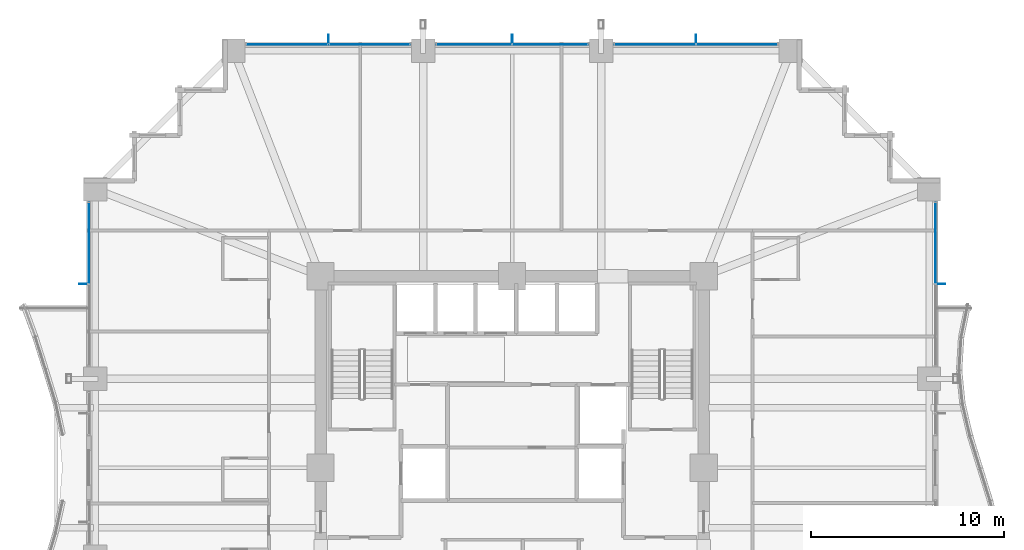
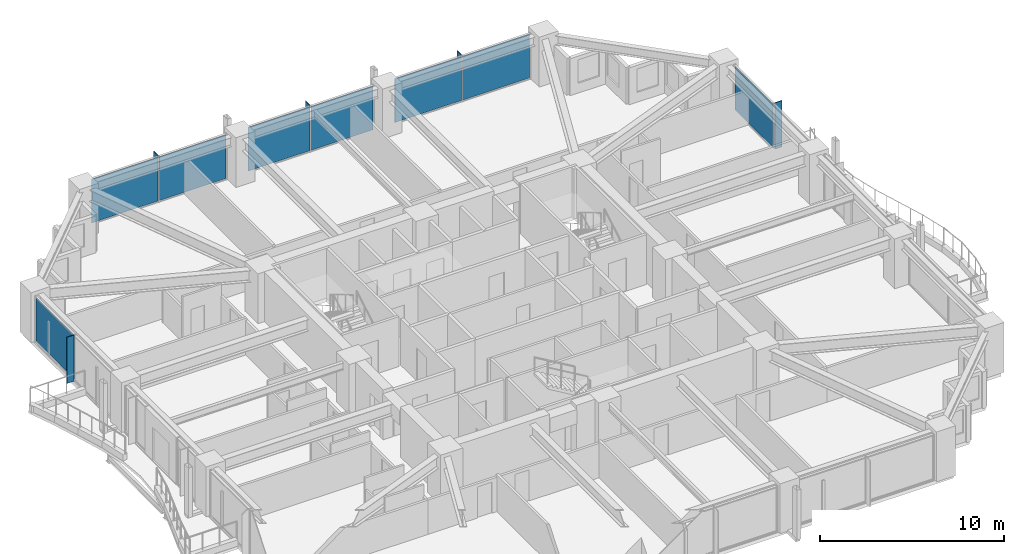
# One storey, part 29 of 36: 13 plates, 5 elements without a shape of their own.
"""IFC4 building model written with IfcOpenShell, lengths in metres."""

from ifc_helpers import new_model, si_unit, direction, frame, origin, origin_2d, place, context, subcontext, project, spatial, rectangle, extrude, material, layer, layer_set, type_object, element, aggregate, save


model = new_model("IFC4")

# Units and contexts
model_context = context("Model", 3, precision=1e-05, world=origin(), true_north=direction((0.0, 1.0)))
body_context = subcontext(model_context, "Body", "Model", "MODEL_VIEW")
ifc_project = project(units=[si_unit("LENGTHUNIT", "METRE"), si_unit("AREAUNIT", "SQUARE_METRE"), si_unit("VOLUMEUNIT", "CUBIC_METRE"), si_unit("PLANEANGLEUNIT", "RADIAN"), si_unit("MASSUNIT", "GRAM", prefix="KILO")], contexts=[model_context])

# Site, building, storey
site_placement = place(None, origin())
site = spatial("IfcSite", under=ifc_project, at=site_placement, CompositionType="ELEMENT")
building_placement = place(site_placement, origin())
building = spatial("IfcBuilding", under=site, at=building_placement, Name="Kolvaren Belvedere", CompositionType="ELEMENT")
storey_placement = place(building_placement, frame((0.0, 0.0, 46.89990234375)))
storey = spatial("IfcBuildingStorey", under=building, at=storey_placement, Name="L13", CompositionType="ELEMENT", Elevation=46.89990234375)

# Curtain wall, plate
ifc_material_1 = material(Name="Anodised pale-metal aluminium AA 6063-T6", Category="aluminium")
curtain_wall_type = type_object("IfcCurtainWallType", Name="CW-Z1-LOW", PredefinedType="NOTDEFINED", material=ifc_material_1)
curtain_wall_1_placement = place(storey_placement, origin())
curtain_wall_1 = element("IfcCurtainWall", 1, at=curtain_wall_1_placement, inside=storey, type_object=curtain_wall_type, Name="L13 Unitised Curtain Wall FCW-L13-E1-B1", PredefinedType="NOTDEFINED")
ifc_material_2 = material(Name="Low-iron triple insulated glass", Category="glass")
ifc_layer_1 = layer(ifc_material_2, 0.028076171875)
ifc_layer_set_1 = layer_set([ifc_layer_1], Name="Low-iron triple insulated glass")
plate_type_1 = type_object("IfcPlateType", Name="CW-PNL-VIS28", PredefinedType="CURTAIN_PANEL", material=ifc_layer_set_1)
plate_1_placement = place(storey_placement, frame((21.8798828125, 11.62255859375, 0.080078125), z_axis=(0.0, 0.0, 1.0), x_axis=(0.0, -1.0, 0.0)))
plate_1 = element("IfcPlate", 2, at=plate_1_placement, type_object=plate_type_1, Name="FCW-L13-E1-B1 Vision Glazing Panel 1", PredefinedType="CURTAIN_PANEL", context=body_context, shape_type="SweptSolid", body=[
    extrude(rectangle(XDim=4.1650390625, YDim=0.028076171875, at=origin_2d()), origin(), (0.0, 0.0, 1.0), 2.89990234375),
])
aggregate(curtain_wall_1, [plate_1])

# Curtain wall, plates
curtain_wall_2_placement = place(storey_placement, origin())
curtain_wall_2 = element("IfcCurtainWall", 3, at=curtain_wall_2_placement, inside=storey, type_object=curtain_wall_type, Name="L13 Unitised Curtain Wall FCW-L13-N-B1", PredefinedType="NOTDEFINED")
plate_2_placement = place(storey_placement, frame((-11.62255859375, 21.8798828125, 0.080078125), z_axis=(0.0, 0.0, 1.0), x_axis=(1.0, 0.0, 0.0)))
plate_2 = element("IfcPlate", 4, at=plate_2_placement, type_object=plate_type_1, Name="FCW-L13-N-B1 Vision Glazing Panel 1", PredefinedType="CURTAIN_PANEL", context=body_context, shape_type="SweptSolid", body=[
    extrude(rectangle(XDim=4.1650390625, YDim=0.028076171875, at=origin_2d()), origin(), (0.0, 0.0, 1.0), 2.89990234375),
])
plate_3_placement = place(storey_placement, frame((-7.37744140625, 21.8798828125, 0.080078125), z_axis=(0.0, 0.0, 1.0), x_axis=(1.0, 0.0, 0.0)))
plate_3 = element("IfcPlate", 5, at=plate_3_placement, type_object=plate_type_1, Name="FCW-L13-N-B1 Vision Glazing Panel 2", PredefinedType="CURTAIN_PANEL", context=body_context, shape_type="SweptSolid", body=[
    extrude(rectangle(XDim=4.1650390625, YDim=0.028076171875, at=origin_2d()), origin(), (0.0, 0.0, 1.0), 2.89990234375),
])
aggregate(curtain_wall_2, [plate_2, plate_3])

curtain_wall_3_placement = place(storey_placement, origin())
curtain_wall_3 = element("IfcCurtainWall", 6, at=curtain_wall_3_placement, inside=storey, type_object=curtain_wall_type, Name="L13 Unitised Curtain Wall FCW-L13-N-B2", PredefinedType="NOTDEFINED")
plate_4_placement = place(storey_placement, frame((-1.972412109375, 21.8798828125, 0.080078125), z_axis=(0.0, 0.0, 1.0), x_axis=(1.0, 0.0, 0.0)))
plate_4 = element("IfcPlate", 7, at=plate_4_placement, type_object=plate_type_1, Name="FCW-L13-N-B2 Vision Glazing Panel 1", PredefinedType="CURTAIN_PANEL", context=body_context, shape_type="SweptSolid", body=[
    extrude(rectangle(XDim=3.864990234375, YDim=0.028076171875, at=origin_2d()), origin(), (0.0, 0.0, 1.0), 2.89990234375),
])
plate_5_placement = place(storey_placement, frame((1.972412109375, 21.8798828125, 0.080078125), z_axis=(0.0, 0.0, 1.0), x_axis=(1.0, 0.0, 0.0)))
plate_5 = element("IfcPlate", 8, at=plate_5_placement, type_object=plate_type_1, Name="FCW-L13-N-B2 Vision Glazing Panel 2", PredefinedType="CURTAIN_PANEL", context=body_context, shape_type="SweptSolid", body=[
    extrude(rectangle(XDim=3.864990234375, YDim=0.028076171875, at=origin_2d()), origin(), (0.0, 0.0, 1.0), 2.89990234375),
])
aggregate(curtain_wall_3, [plate_4, plate_5])

curtain_wall_4_placement = place(storey_placement, origin())
curtain_wall_4 = element("IfcCurtainWall", 9, at=curtain_wall_4_placement, inside=storey, type_object=curtain_wall_type, Name="L13 Unitised Curtain Wall FCW-L13-N-B3", PredefinedType="NOTDEFINED")
plate_6_placement = place(storey_placement, frame((7.37744140625, 21.8798828125, 0.080078125), z_axis=(0.0, 0.0, 1.0), x_axis=(1.0, 0.0, 0.0)))
plate_6 = element("IfcPlate", 10, at=plate_6_placement, type_object=plate_type_1, Name="FCW-L13-N-B3 Vision Glazing Panel 1", PredefinedType="CURTAIN_PANEL", context=body_context, shape_type="SweptSolid", body=[
    extrude(rectangle(XDim=4.1650390625, YDim=0.028076171875, at=origin_2d()), origin(), (0.0, 0.0, 1.0), 2.89990234375),
])
plate_7_placement = place(storey_placement, frame((11.62255859375, 21.8798828125, 0.080078125), z_axis=(0.0, 0.0, 1.0), x_axis=(1.0, 0.0, 0.0)))
plate_7 = element("IfcPlate", 11, at=plate_7_placement, type_object=plate_type_1, Name="FCW-L13-N-B3 Vision Glazing Panel 2", PredefinedType="CURTAIN_PANEL", context=body_context, shape_type="SweptSolid", body=[
    extrude(rectangle(XDim=4.1650390625, YDim=0.028076171875, at=origin_2d()), origin(), (0.0, 0.0, 1.0), 2.89990234375),
])
aggregate(curtain_wall_4, [plate_6, plate_7])

# Curtain wall, plate
curtain_wall_5_placement = place(storey_placement, origin())
curtain_wall_5 = element("IfcCurtainWall", 12, at=curtain_wall_5_placement, inside=storey, type_object=curtain_wall_type, Name="L13 Unitised Curtain Wall FCW-L13-W2-B2", PredefinedType="NOTDEFINED")
plate_8_placement = place(storey_placement, frame((-21.8798828125, 11.62255859375, 0.080078125), z_axis=(0.0, 0.0, 1.0), x_axis=(0.0, 1.0, 0.0)))
plate_8 = element("IfcPlate", 13, at=plate_8_placement, type_object=plate_type_1, Name="FCW-L13-W2-B2 Vision Glazing Panel 2", PredefinedType="CURTAIN_PANEL", context=body_context, shape_type="SweptSolid", body=[
    extrude(rectangle(XDim=4.1650390625, YDim=0.028076171875, at=origin_2d()), origin(), (0.0, 0.0, 1.0), 2.89990234375),
])
aggregate(curtain_wall_5, [plate_8])

# Plates
ifc_material_3 = material(Name="Anodised pale-metal aluminium AA 6063-T6", Category="aluminium")
ifc_layer_2 = layer(ifc_material_3, 0.0380859375)
ifc_layer_set_2 = layer_set([ifc_layer_2], Name="Anodised pale-metal aluminium AA 6063-T6")
plate_type_2 = type_object("IfcPlateType", Name="FIN-VERT-450", PredefinedType="USERDEFINED", material=ifc_layer_set_2)
for number, where, z_axis, x_axis, name in (
    (14, (22.1650390625, 9.5, 0.0), (0.0, 0.0, 1.0), (1.0, 0.0, 0.0), "L13 Pale-Metal Vertical Shading Fin FCW-L13-E1-B1-1"),
    (15, (-9.5, 22.1650390625, 0.0), (0.0, 0.0, 1.0), (0.0, 1.0, 0.0), "L13 Pale-Metal Vertical Shading Fin FCW-L13-N-B1-1"),
    (16, (0.0, 22.1650390625, 0.0), (0.0, 0.0, 1.0), (0.0, 1.0, 0.0), "L13 Pale-Metal Vertical Shading Fin FCW-L13-N-B2-1"),
    (17, (9.5, 22.1650390625, 0.0), (0.0, 0.0, 1.0), (0.0, 1.0, 0.0), "L13 Pale-Metal Vertical Shading Fin FCW-L13-N-B3-1"),
    (18, (-22.1650390625, 9.5, 0.0), (0.0, 0.0, 1.0), (1.0, 0.0, 0.0), "L13 Pale-Metal Vertical Shading Fin FCW-L13-W2-B2-1"),
):
    element("IfcPlate", number, at=place(storey_placement, frame(where, z_axis=z_axis, x_axis=x_axis)), inside=storey, type_object=plate_type_2, Name=name, ObjectType="VERTICAL FIN", PredefinedType="USERDEFINED", context=body_context, shape_type="SweptSolid", body=[
        extrude(rectangle(XDim=0.449951171875, YDim=0.0380859375, at=origin_2d()), origin(), (0.0, 0.0, 1.0), 3.06005859375),
    ])

save(model, "model.ifc")
